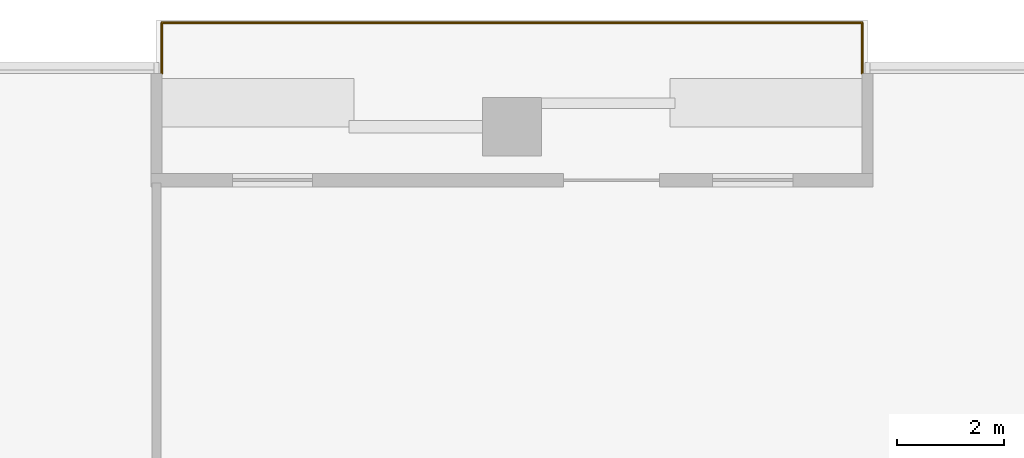
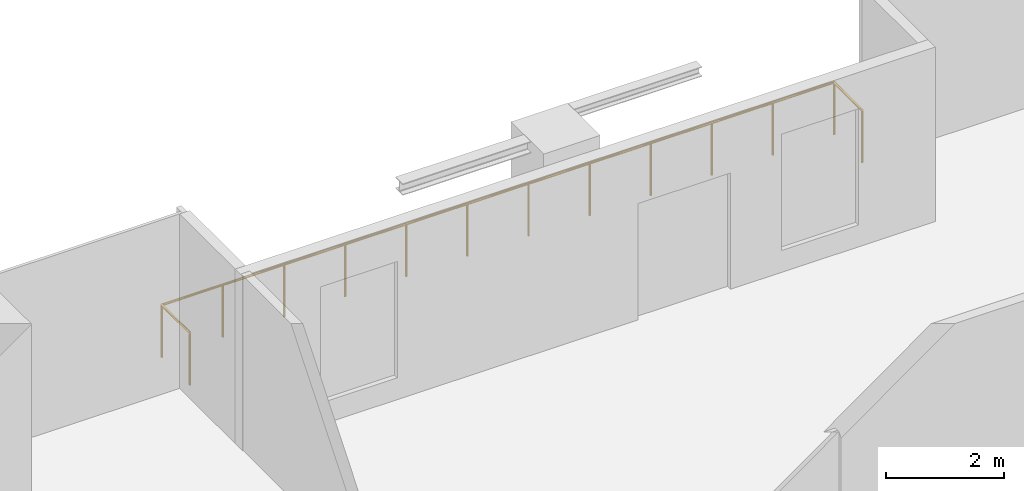
# One storey, part 14 of 14: 1 railing.
"""IFC4 building model written with IfcOpenShell, lengths in metres."""

from ifc_helpers import new_model, si_unit, direction, frame, origin, origin_2d, place, context, subcontext, project, spatial, circle, extrude, material, type_object, element, save


model = new_model("IFC4")

# Units and contexts
model_context = context("Model", 3, precision=1e-05, world=origin(), true_north=direction((0.0, 1.0)))
body_context = subcontext(model_context, "Body", "Model", "MODEL_VIEW")
ifc_project = project(units=[si_unit("LENGTHUNIT", "METRE"), si_unit("AREAUNIT", "SQUARE_METRE"), si_unit("VOLUMEUNIT", "CUBIC_METRE"), si_unit("PLANEANGLEUNIT", "RADIAN"), si_unit("MASSUNIT", "GRAM", prefix="KILO")], contexts=[model_context])

# Site, building, storey
site_placement = place(None, origin())
site = spatial("IfcSite", under=ifc_project, at=site_placement, CompositionType="ELEMENT")
building_placement = place(site_placement, origin())
building = spatial("IfcBuilding", under=site, at=building_placement, Name="Mopane Tessera Tower", CompositionType="ELEMENT")
storey_placement = place(building_placement, frame((0.0, 0.0, 243.0)))
storey = spatial("IfcBuildingStorey", under=building, at=storey_placement, Name="L52", CompositionType="ELEMENT", Elevation=243.0)

# Railing
ifc_material = material(Name="Stainless steel S316", Category="steel")
railing_type = type_object("IfcRailingType", Name="Terrace guard 1100", PredefinedType="GUARDRAIL", material=ifc_material)
railing_placement = place(storey_placement, frame((17.659912109375, 24.75, 0.0)))
element("IfcRailing", 1, at=railing_placement, inside=storey, type_object=railing_type, Name="e:nw:L52:N2:guard", PredefinedType="GUARDRAIL", context=body_context, shape_type="SweptSolid", body=[
    extrude(circle(Radius=0.02392578125, at=origin_2d()), frame((0.0, 0.0, 1.076171875), z_axis=(0.0, 1.0, 0.0), x_axis=(-1.0, 0.0, 0.0)), (0.0, 0.0, 1.0), 0.949951171875),
    extrude(circle(Radius=0.02392578125, at=origin_2d()), frame((0.0, 0.949951171875, 1.076171875), z_axis=(-1.0, 0.0, 0.0), x_axis=(0.0, -1.0, 0.0)), (0.0, 0.0, 1.0), 13.119873046875),
    extrude(circle(Radius=0.02392578125, at=origin_2d()), frame((-13.119873046875, 0.949951171875, 1.076171875), z_axis=(0.0, -1.0, 0.0), x_axis=(1.0, 0.0, 0.0)), (0.0, 0.0, 1.0), 0.949951171875),
    extrude(circle(Radius=0.02099609375, at=origin_2d()), origin(), (0.0, 0.0, 1.0), 1.052001953125),
    extrude(circle(Radius=0.02099609375, at=origin_2d()), frame((0.0, 0.949951171875, 0.0)), (0.0, 0.0, 1.0), 1.052001953125),
    extrude(circle(Radius=0.02099609375, at=origin_2d()), frame((-1.192626953125, 0.949951171875, 0.0)), (0.0, 0.0, 1.0), 1.052001953125),
    extrude(circle(Radius=0.02099609375, at=origin_2d()), frame((-2.385498046875, 0.949951171875, 0.0)), (0.0, 0.0, 1.0), 1.052001953125),
    extrude(circle(Radius=0.02099609375, at=origin_2d()), frame((-3.578125, 0.949951171875, 0.0)), (0.0, 0.0, 1.0), 1.052001953125),
    extrude(circle(Radius=0.02099609375, at=origin_2d()), frame((-4.770751953125, 0.949951171875, 0.0)), (0.0, 0.0, 1.0), 1.052001953125),
    extrude(circle(Radius=0.02099609375, at=origin_2d()), frame((-5.963623046875, 0.949951171875, 0.0)), (0.0, 0.0, 1.0), 1.052001953125),
    extrude(circle(Radius=0.02099609375, at=origin_2d()), frame((-7.15625, 0.949951171875, 0.0)), (0.0, 0.0, 1.0), 1.052001953125),
    extrude(circle(Radius=0.02099609375, at=origin_2d()), frame((-8.34912109375, 0.949951171875, 0.0)), (0.0, 0.0, 1.0), 1.052001953125),
    extrude(circle(Radius=0.02099609375, at=origin_2d()), frame((-9.541748046875, 0.949951171875, 0.0)), (0.0, 0.0, 1.0), 1.052001953125),
    extrude(circle(Radius=0.02099609375, at=origin_2d()), frame((-10.734375, 0.949951171875, 0.0)), (0.0, 0.0, 1.0), 1.052001953125),
    extrude(circle(Radius=0.02099609375, at=origin_2d()), frame((-11.92724609375, 0.949951171875, 0.0)), (0.0, 0.0, 1.0), 1.052001953125),
    extrude(circle(Radius=0.02099609375, at=origin_2d()), frame((-13.119873046875, 0.949951171875, 0.0)), (0.0, 0.0, 1.0), 1.052001953125),
    extrude(circle(Radius=0.02099609375, at=origin_2d()), frame((-13.119873046875, 0.0, 0.0)), (0.0, 0.0, 1.0), 1.052001953125),
])

save(model, "model.ifc")
